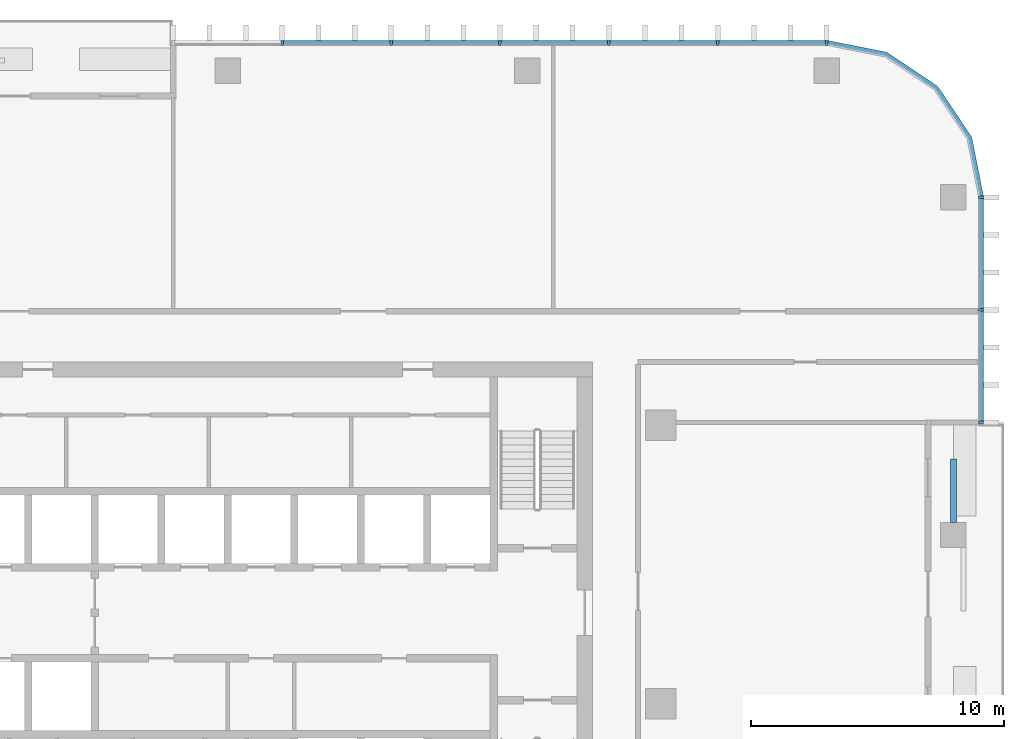
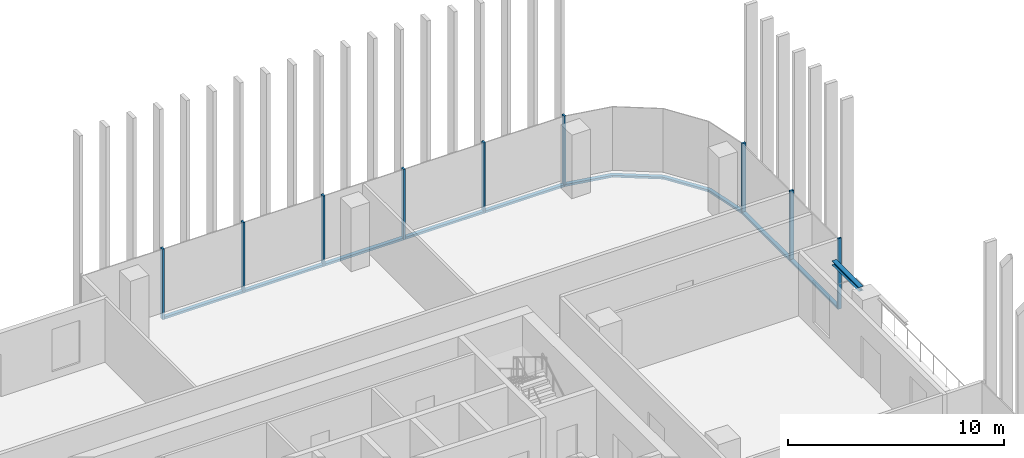
# One storey, part 5 of 16: 17 members, 1 beam, 3 elements without a shape of their own.
"""IFC4 building model written with IfcOpenShell, lengths in metres."""

from ifc_helpers import new_model, si_unit, direction, frame, origin, origin_2d, place, context, subcontext, project, spatial, polyline, rectangle, i_section, outline, extrude, material, material_profile, profile_set, type_object, element, aggregate, save


model = new_model("IFC4")

# Units and contexts
model_context = context("Model", 3, precision=1e-05, world=origin(), true_north=direction((0.0, 1.0)))
body_context = subcontext(model_context, "Body", "Model", "MODEL_VIEW")
ifc_project = project(units=[si_unit("LENGTHUNIT", "METRE"), si_unit("AREAUNIT", "SQUARE_METRE"), si_unit("VOLUMEUNIT", "CUBIC_METRE"), si_unit("PLANEANGLEUNIT", "RADIAN"), si_unit("MASSUNIT", "GRAM", prefix="KILO")], contexts=[model_context])

# Site, building, storey
site_placement = place(None, origin())
site = spatial("IfcSite", under=ifc_project, at=site_placement, CompositionType="ELEMENT")
building_placement = place(site_placement, origin())
building = spatial("IfcBuilding", under=site, at=building_placement, Name="Mopane Tessera Tower", CompositionType="ELEMENT")
storey_placement = place(building_placement, frame((0.0, 0.0, 303.39990234375)))
storey = spatial("IfcBuildingStorey", under=building, at=storey_placement, Name="L66", CompositionType="ELEMENT", Elevation=303.39990234375)

# Curtain wall, members
ifc_material_1 = material(Name="Aluminium frame", Category="aluminium")
curtain_wall_type = type_object("IfcCurtainWallType", Name="Unitised curtain wall", PredefinedType="NOTDEFINED", material=ifc_material_1)
curtain_wall_1_placement = place(storey_placement, origin())
curtain_wall_1 = element("IfcCurtainWall", 1, at=curtain_wall_1_placement, inside=storey, type_object=curtain_wall_type, Name="e:cw:L66:E:7", PredefinedType="NOTDEFINED")
ifc_material_2 = material(Name="Aluminium frame", Category="aluminium")
ifc_material_profile_1 = material_profile(ifc_material_2, rectangle(XDim=0.10009765625, YDim=0.199951171875, at=origin_2d()))
ifc_profile_set_1 = profile_set([ifc_material_profile_1], Name="Aluminium frame")
member_type_1 = type_object("IfcMemberType", Name="Aluminium mullion 100 x 200", PredefinedType="MULLION", material=ifc_profile_set_1)
member_1_placement = place(storey_placement, frame((29.75, 11.111083984375, -0.39990234375), z_axis=(0.0, 0.0, 1.0), x_axis=(0.0, 1.0, 0.0)))
member_1 = element("IfcMember", 2, at=member_1_placement, type_object=member_type_1, Name="e:cw:L66:E:7:mu7", PredefinedType="MULLION", context=body_context, shape_type="SweptSolid", body=[
    extrude(rectangle(XDim=0.10009765625, YDim=0.199951171875, at=origin_2d()), origin(), (0.0, 0.0, 1.0), 4.0),
])
member_2_placement = place(storey_placement, frame((29.75, 15.5556640625, -0.39990234375), z_axis=(0.0, 0.0, 1.0), x_axis=(0.0, 1.0, 0.0)))
member_2 = element("IfcMember", 3, at=member_2_placement, type_object=member_type_1, Name="e:cw:L66:E:7:mu8", PredefinedType="MULLION", context=body_context, shape_type="SweptSolid", body=[
    extrude(rectangle(XDim=0.10009765625, YDim=0.199951171875, at=origin_2d()), origin(), (0.0, 0.0, 1.0), 4.0),
])
member_3_placement = place(storey_placement, frame((29.75, 20.0, -0.39990234375), z_axis=(0.0, 0.0, 1.0), x_axis=(0.0, 1.0, 0.0)))
member_3 = element("IfcMember", 4, at=member_3_placement, type_object=member_type_1, Name="e:cw:L66:E:7:mu9", PredefinedType="MULLION", context=body_context, shape_type="SweptSolid", body=[
    extrude(rectangle(XDim=0.10009765625, YDim=0.199951171875, at=origin_2d()), origin(), (0.0, 0.0, 1.0), 4.0),
])

curtain_wall_2_placement = place(storey_placement, origin())
curtain_wall_2 = element("IfcCurtainWall", 5, at=curtain_wall_2_placement, inside=storey, type_object=curtain_wall_type, Name="e:cw:L66:N:0", PredefinedType="NOTDEFINED")
member_4_placement = place(storey_placement, frame((23.64990234375, 26.10009765625, -0.39990234375), z_axis=(0.0, 0.0, 1.0), x_axis=(-1.0, 0.0, 0.0)))
member_4 = element("IfcMember", 6, at=member_4_placement, type_object=member_type_1, Name="e:cw:L66:N:0:mu0", PredefinedType="MULLION", context=body_context, shape_type="SweptSolid", body=[
    extrude(rectangle(XDim=0.10009765625, YDim=0.199951171875, at=origin_2d()), origin(), (0.0, 0.0, 1.0), 4.0),
])
member_5_placement = place(storey_placement, frame((19.35009765625, 26.10009765625, -0.39990234375), z_axis=(0.0, 0.0, 1.0), x_axis=(-1.0, 0.0, 0.0)))
member_5 = element("IfcMember", 7, at=member_5_placement, type_object=member_type_1, Name="e:cw:L66:N:0:mu1", PredefinedType="MULLION", context=body_context, shape_type="SweptSolid", body=[
    extrude(rectangle(XDim=0.10009765625, YDim=0.199951171875, at=origin_2d()), origin(), (0.0, 0.0, 1.0), 4.0),
])
member_6_placement = place(storey_placement, frame((15.050048828125, 26.10009765625, -0.39990234375), z_axis=(0.0, 0.0, 1.0), x_axis=(-1.0, 0.0, 0.0)))
member_6 = element("IfcMember", 8, at=member_6_placement, type_object=member_type_1, Name="e:cw:L66:N:0:mu2", PredefinedType="MULLION", context=body_context, shape_type="SweptSolid", body=[
    extrude(rectangle(XDim=0.10009765625, YDim=0.199951171875, at=origin_2d()), origin(), (0.0, 0.0, 1.0), 4.0),
])
member_7_placement = place(storey_placement, frame((10.75, 26.10009765625, -0.39990234375), z_axis=(0.0, 0.0, 1.0), x_axis=(-1.0, 0.0, 0.0)))
member_7 = element("IfcMember", 9, at=member_7_placement, type_object=member_type_1, Name="e:cw:L66:N:0:mu3", PredefinedType="MULLION", context=body_context, shape_type="SweptSolid", body=[
    extrude(rectangle(XDim=0.10009765625, YDim=0.199951171875, at=origin_2d()), origin(), (0.0, 0.0, 1.0), 4.0),
])
member_8_placement = place(storey_placement, frame((6.449951171875, 26.10009765625, -0.39990234375), z_axis=(0.0, 0.0, 1.0), x_axis=(-1.0, 0.0, 0.0)))
member_8 = element("IfcMember", 10, at=member_8_placement, type_object=member_type_1, Name="e:cw:L66:N:0:mu4", PredefinedType="MULLION", context=body_context, shape_type="SweptSolid", body=[
    extrude(rectangle(XDim=0.10009765625, YDim=0.199951171875, at=origin_2d()), origin(), (0.0, 0.0, 1.0), 4.0),
])
member_9_placement = place(storey_placement, frame((2.14990234375, 26.10009765625, -0.39990234375), z_axis=(0.0, 0.0, 1.0), x_axis=(-1.0, 0.0, 0.0)))
member_9 = element("IfcMember", 11, at=member_9_placement, type_object=member_type_1, Name="e:cw:L66:N:0:mu5", PredefinedType="MULLION", context=body_context, shape_type="SweptSolid", body=[
    extrude(rectangle(XDim=0.10009765625, YDim=0.199951171875, at=origin_2d()), origin(), (0.0, 0.0, 1.0), 4.0),
])

# Member
ifc_material_3 = material(Name="Aluminium frame", Category="aluminium")
ifc_material_profile_2 = material_profile(ifc_material_3, rectangle(XDim=0.199951171875, YDim=0.1201171875, at=origin_2d()))
ifc_profile_set_2 = profile_set([ifc_material_profile_2], Name="Aluminium frame")
member_type_2 = type_object("IfcMemberType", Name="Aluminium transom 200 x 120", PredefinedType="USERDEFINED", material=ifc_profile_set_2)
member_10_placement = place(storey_placement, frame((29.75, 11.1611328125, -0.33984375), z_axis=(0.0, 1.0, 0.0), x_axis=(-1.0, 0.0, 0.0)))
member_10 = element("IfcMember", 12, at=member_10_placement, type_object=member_type_2, Name="e:cw:L66:E:7:tr7", ObjectType="TRANSOM", PredefinedType="USERDEFINED", context=body_context, shape_type="SweptSolid", body=[
    extrude(rectangle(XDim=0.199951171875, YDim=0.1201171875, at=origin_2d()), origin(), (0.0, 0.0, 1.0), 4.344482421875),
])

member_11_placement = place(storey_placement, frame((29.75, 15.60546875, -0.33984375), z_axis=(0.0, 1.0, 0.0), x_axis=(-1.0, 0.0, 0.0)))
member_11 = element("IfcMember", 13, at=member_11_placement, type_object=member_type_2, Name="e:cw:L66:E:7:tr8", ObjectType="TRANSOM", PredefinedType="USERDEFINED", context=body_context, shape_type="SweptSolid", body=[
    extrude(rectangle(XDim=0.199951171875, YDim=0.1201171875, at=origin_2d()), origin(), (0.0, 0.0, 1.0), 4.344482421875),
])

aggregate(curtain_wall_1, [member_1, member_2, member_3, member_10, member_11])

# Curtain wall, member
curtain_wall_3_placement = place(storey_placement, origin())
curtain_wall_3 = element("IfcCurtainWall", 14, at=curtain_wall_3_placement, inside=storey, type_object=curtain_wall_type, Name="e:cw:L66:CE", PredefinedType="NOTDEFINED")
member_12_placement = place(storey_placement, frame((0.0, 0.0, -0.39990234375)))
member_12 = element("IfcMember", 15, at=member_12_placement, type_object=member_type_2, Name="e:cw:L66:CE:tr", ObjectType="TRANSOM", PredefinedType="USERDEFINED", context=body_context, shape_type="SweptSolid", body=[
    extrude(outline(polyline([(29.64990234375, 20.0), (29.193359375, 22.296142578125), (27.892578125, 24.24267578125), (25.946044921875, 25.543212890625), (23.64990234375, 26.0), (23.64990234375, 26.199951171875), (26.022705078125, 25.72802734375), (28.0341796875, 24.384033203125), (29.378173828125, 22.37255859375), (29.85009765625, 20.0), (29.64990234375, 20.0)])), origin(), (0.0, 0.0, 1.0), 0.1201171875),
])
aggregate(curtain_wall_3, [member_12])

# Member
member_13_placement = place(storey_placement, frame((23.60009765625, 26.10009765625, -0.33984375), z_axis=(-1.0, 0.0, 0.0), x_axis=(0.0, -1.0, 0.0)))
member_13 = element("IfcMember", 16, at=member_13_placement, type_object=member_type_2, Name="e:cw:L66:N:0:tr0", ObjectType="TRANSOM", PredefinedType="USERDEFINED", context=body_context, shape_type="SweptSolid", body=[
    extrude(rectangle(XDim=0.199951171875, YDim=0.1201171875, at=origin_2d()), origin(), (0.0, 0.0, 1.0), 4.2001953125),
])

member_14_placement = place(storey_placement, frame((19.300048828125, 26.10009765625, -0.33984375), z_axis=(-1.0, 0.0, 0.0), x_axis=(0.0, -1.0, 0.0)))
member_14 = element("IfcMember", 17, at=member_14_placement, type_object=member_type_2, Name="e:cw:L66:N:0:tr1", ObjectType="TRANSOM", PredefinedType="USERDEFINED", context=body_context, shape_type="SweptSolid", body=[
    extrude(rectangle(XDim=0.199951171875, YDim=0.1201171875, at=origin_2d()), origin(), (0.0, 0.0, 1.0), 4.199951171875),
])

member_15_placement = place(storey_placement, frame((15.0, 26.10009765625, -0.33984375), z_axis=(-1.0, 0.0, 0.0), x_axis=(0.0, -1.0, 0.0)))
member_15 = element("IfcMember", 18, at=member_15_placement, type_object=member_type_2, Name="e:cw:L66:N:0:tr2", ObjectType="TRANSOM", PredefinedType="USERDEFINED", context=body_context, shape_type="SweptSolid", body=[
    extrude(rectangle(XDim=0.199951171875, YDim=0.1201171875, at=origin_2d()), origin(), (0.0, 0.0, 1.0), 4.199951171875),
])

member_16_placement = place(storey_placement, frame((10.699951171875, 26.10009765625, -0.33984375), z_axis=(-1.0, 0.0, 0.0), x_axis=(0.0, -1.0, 0.0)))
member_16 = element("IfcMember", 19, at=member_16_placement, type_object=member_type_2, Name="e:cw:L66:N:0:tr3", ObjectType="TRANSOM", PredefinedType="USERDEFINED", context=body_context, shape_type="SweptSolid", body=[
    extrude(rectangle(XDim=0.199951171875, YDim=0.1201171875, at=origin_2d()), origin(), (0.0, 0.0, 1.0), 4.199951171875),
])

member_17_placement = place(storey_placement, frame((6.39990234375, 26.10009765625, -0.33984375), z_axis=(-1.0, 0.0, 0.0), x_axis=(0.0, -1.0, 0.0)))
member_17 = element("IfcMember", 20, at=member_17_placement, type_object=member_type_2, Name="e:cw:L66:N:0:tr4", ObjectType="TRANSOM", PredefinedType="USERDEFINED", context=body_context, shape_type="SweptSolid", body=[
    extrude(rectangle(XDim=0.199951171875, YDim=0.1201171875, at=origin_2d()), origin(), (0.0, 0.0, 1.0), 4.199951171875),
])

aggregate(curtain_wall_2, [member_4, member_5, member_6, member_7, member_8, member_9, member_13, member_14, member_15, member_16, member_17])

# Beam
ifc_material_4 = material(Name="Structural steel S460", Category="steel")
ifc_material_profile_3 = material_profile(ifc_material_4, i_section(OverallWidth=0.239990234375, OverallDepth=0.239990234375, WebThickness=0.010009765625, FlangeThickness=0.01708984375, FilletRadius=0.02099609375, at=origin_2d()))
ifc_profile_set_3 = profile_set([ifc_material_profile_3], Name="Structural steel S460")
beam_type = type_object("IfcBeamType", Name="Terrace spandrel beam HE 240 B", PredefinedType="SPANDREL", material=ifc_profile_set_3)
beam_placement = place(storey_placement, frame((28.64990234375, 7.169677734375, 3.47998046875), z_axis=(0.0, 1.0, 0.0), x_axis=(-1.0, 0.0, 0.0)))
element("IfcBeam", 21, at=beam_placement, inside=storey, type_object=beam_type, Name="Terrace spandrel beam N1 L67", PredefinedType="SPANDREL", context=body_context, shape_type="SweptSolid", body=[
    extrude(i_section(OverallWidth=0.239990234375, OverallDepth=0.239990234375, WebThickness=0.010009765625, FlangeThickness=0.01708984375, FilletRadius=0.02099609375, at=origin_2d()), origin(), (0.0, 0.0, 1.0), 2.5),
])

save(model, "model.ifc")
